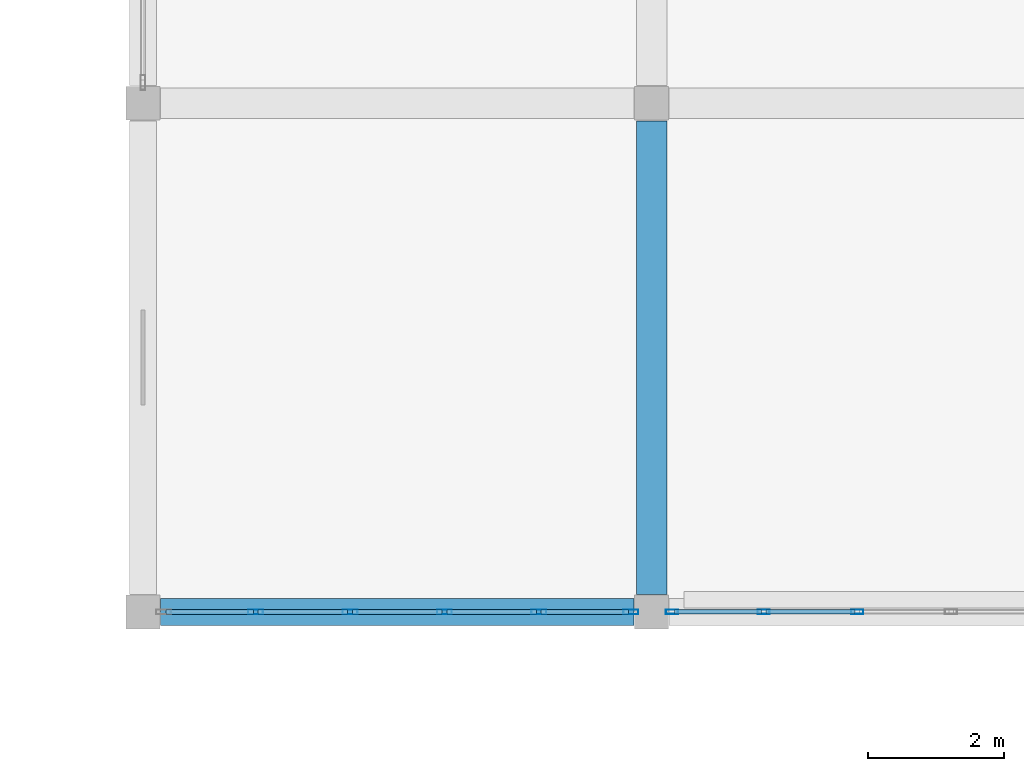
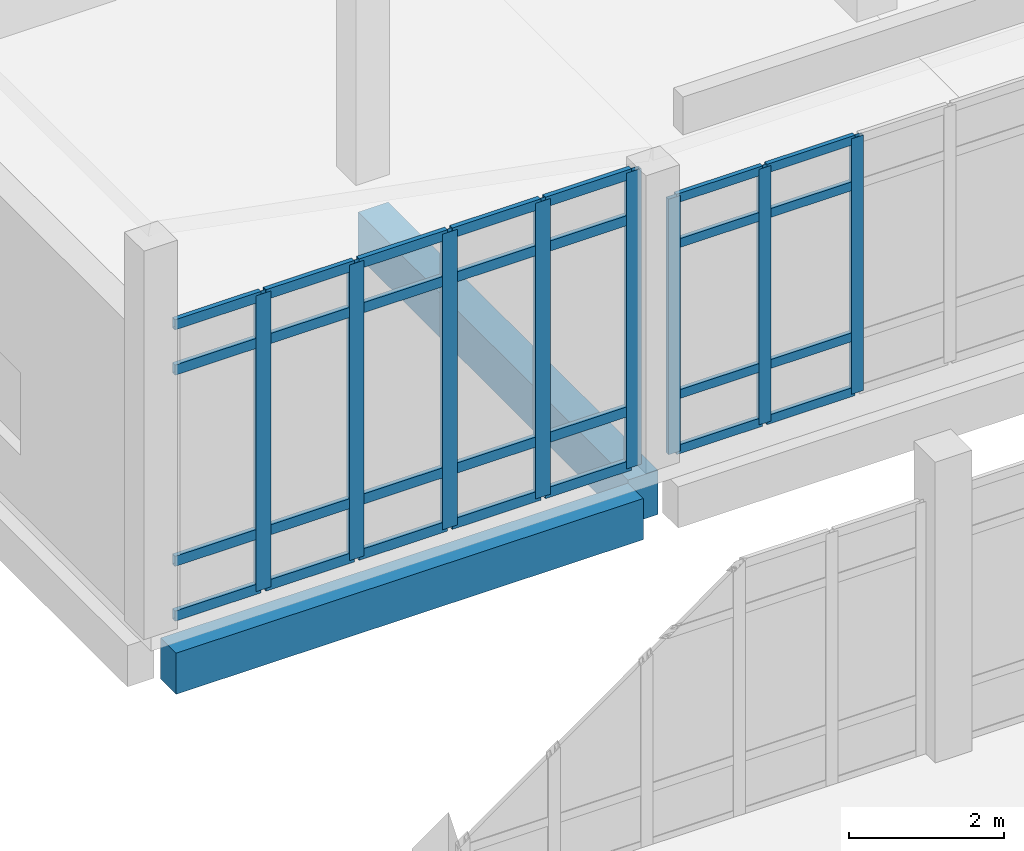
# One storey, part 67 of 173: 36 members, 2 beams, 2 elements without a shape of their own.
"""IFC4 building model written with IfcOpenShell, lengths in metres."""

from ifc_helpers import new_model, si_unit, direction, frame, origin, origin_2d, place, context, subcontext, project, spatial, rectangle, hollow_rectangle, extrude, material, layer, layer_set, material_profile, profile_set, type_object, element, aggregate, save


model = new_model("IFC4")

# Units and contexts
model_context = context("Model", 3, precision=1e-05, world=origin(), true_north=direction((0.0, 1.0)))
body_context = subcontext(model_context, "Body", "Model", "MODEL_VIEW")
ifc_project = project(units=[si_unit("LENGTHUNIT", "METRE"), si_unit("AREAUNIT", "SQUARE_METRE"), si_unit("VOLUMEUNIT", "CUBIC_METRE"), si_unit("PLANEANGLEUNIT", "RADIAN"), si_unit("MASSUNIT", "GRAM", prefix="KILO")], contexts=[model_context])

# Site, building, storey
site_placement = place(None, origin())
site = spatial("IfcSite", under=ifc_project, at=site_placement, CompositionType="ELEMENT")
building_placement = place(site_placement, origin())
building = spatial("IfcBuilding", under=site, at=building_placement, Name="Mawjan Specialist Oncology Clinic", CompositionType="ELEMENT")
storey_placement = place(building_placement, origin())
storey = spatial("IfcBuildingStorey", under=building, at=storey_placement, Name="L00", CompositionType="ELEMENT", Elevation=0.0)

# Beam
ifc_material_1 = material(Name="Concrete C40/50", Category="concrete")
ifc_material_profile_1 = material_profile(ifc_material_1, rectangle(XDim=0.449951171875, YDim=0.699951171875, at=origin_2d()), Name="RC BM 450x700", Category="concrete")
ifc_profile_set_1 = profile_set([ifc_material_profile_1], Name="Concrete C40/50")
beam_type_1 = type_object("IfcBeamType", Name="BM-450x700", PredefinedType="BEAM", material=ifc_profile_set_1)
beam_1_placement = place(storey_placement, frame((37.5, 83.56005859375, -0.77001953125), z_axis=(0.0, 1.0, 0.0), x_axis=(-1.0, 0.0, 0.0)))
element("IfcBeam", 1, at=beam_1_placement, inside=storey, type_object=beam_type_1, Name="L00 Collector Beam BM-L00-0118", PredefinedType="BEAM", context=body_context, shape_type="SweptSolid", body=[
    extrude(rectangle(XDim=0.449951171875, YDim=0.699951171875, at=origin_2d()), origin(), (0.0, 0.0, 1.0), 6.97998046875),
])

# Curtain wall, members
ifc_material_2 = material(Name="Unitised spectrally selective aluminium curtain wall", Category="aluminium")
ifc_layer_1 = layer(ifc_material_2, 0.179931640625, Name="Unitised spectrally selective aluminium curtain wall", Category="aluminium")
ifc_layer_set_1 = layer_set([ifc_layer_1], Name="Unitised spectrally selective aluminium curtain wall")
curtain_wall_type_1 = type_object("IfcCurtainWallType", Name="CW-09", PredefinedType="NOTDEFINED", material=ifc_layer_set_1)
curtain_wall_1_placement = place(storey_placement, origin())
curtain_wall_1 = element("IfcCurtainWall", 2, at=curtain_wall_1_placement, inside=storey, type_object=curtain_wall_type_1, Name="L00 Unitised Curtain Wall CW-L00-016", PredefinedType="NOTDEFINED")
ifc_material_3 = material(Name="Thermally broken aluminium 6063-T6", Category="aluminium")
ifc_material_profile_2 = material_profile(ifc_material_3, hollow_rectangle(XDim=0.06494140625, YDim=0.179931640625, WallThickness=0.00390625, at=origin_2d()), Name="ALU MULLION 180x65x4", Category="aluminium")
ifc_profile_set_2 = profile_set([ifc_material_profile_2], Name="Thermally broken aluminium 6063-T6")
member_type_1 = type_object("IfcMemberType", Name="CW-M180", PredefinedType="MULLION", material=ifc_profile_set_2)
member_1_placement = place(storey_placement, frame((40.533935546875, 83.300048828125, 0.0), z_axis=(0.0, 0.0, 1.0), x_axis=(0.0, -1.0, 0.0)))
member_1 = element("IfcMember", 3, at=member_1_placement, type_object=member_type_1, Name="CW-09 mullion 4", PredefinedType="MULLION", context=body_context, shape_type="SweptSolid", body=[
    extrude(hollow_rectangle(XDim=0.06494140625, YDim=0.179931640625, WallThickness=0.00390625, at=origin_2d()), origin(), (0.0, 0.0, 1.0), 4.034912109375),
])
member_2_placement = place(storey_placement, frame((39.152099609375, 83.300048828125, 0.0), z_axis=(0.0, 0.0, 1.0), x_axis=(0.0, -1.0, 0.0)))
member_2 = element("IfcMember", 4, at=member_2_placement, type_object=member_type_1, Name="CW-09 mullion 5", PredefinedType="MULLION", context=body_context, shape_type="SweptSolid", body=[
    extrude(hollow_rectangle(XDim=0.06494140625, YDim=0.179931640625, WallThickness=0.00390625, at=origin_2d()), origin(), (0.0, 0.0, 1.0), 4.034912109375),
])
member_3_placement = place(storey_placement, frame((37.802490234375, 83.300048828125, 0.0), z_axis=(0.0, 0.0, 1.0), x_axis=(0.0, -1.0, 0.0)))
member_3 = element("IfcMember", 5, at=member_3_placement, type_object=member_type_1, Name="CW-09 mullion 6", PredefinedType="MULLION", context=body_context, shape_type="SweptSolid", body=[
    extrude(hollow_rectangle(XDim=0.06494140625, YDim=0.179931640625, WallThickness=0.00390625, at=origin_2d()), origin(), (0.0, 0.0, 1.0), 4.034912109375),
])

ifc_material_4 = material(Name="Unitised spectrally selective aluminium curtain wall", Category="aluminium")
ifc_layer_2 = layer(ifc_material_4, 0.179931640625, Name="Unitised spectrally selective aluminium curtain wall", Category="aluminium")
ifc_layer_set_2 = layer_set([ifc_layer_2], Name="Unitised spectrally selective aluminium curtain wall")
curtain_wall_type_2 = type_object("IfcCurtainWallType", Name="CW-11", PredefinedType="NOTDEFINED", material=ifc_layer_set_2)
curtain_wall_2_placement = place(storey_placement, origin())
curtain_wall_2 = element("IfcCurtainWall", 6, at=curtain_wall_2_placement, inside=storey, type_object=curtain_wall_type_2, Name="L00 Unitised Curtain Wall CW-L00-017", PredefinedType="NOTDEFINED")
ifc_material_5 = material(Name="Thermally broken aluminium 6063-T6", Category="aluminium")
ifc_material_profile_3 = material_profile(ifc_material_5, hollow_rectangle(XDim=0.070068359375, YDim=0.219970703125, WallThickness=0.00390625, at=origin_2d()), Name="ALU MULLION 220x70x4", Category="aluminium")
ifc_profile_set_3 = profile_set([ifc_material_profile_3], Name="Thermally broken aluminium 6063-T6")
member_type_2 = type_object("IfcMemberType", Name="CW-M220", PredefinedType="MULLION", material=ifc_profile_set_3)
member_4_placement = place(storey_placement, frame((37.195068359375, 83.300048828125, 0.0), z_axis=(0.0, 0.0, 1.0), x_axis=(0.0, -1.0, 0.0)))
member_4 = element("IfcMember", 7, at=member_4_placement, type_object=member_type_2, Name="CW-11 mullion 1", PredefinedType="MULLION", context=body_context, shape_type="SweptSolid", body=[
    extrude(hollow_rectangle(XDim=0.070068359375, YDim=0.219970703125, WallThickness=0.00390625, at=origin_2d()), origin(), (0.0, 0.0, 1.0), 4.669921875),
])
member_5_placement = place(storey_placement, frame((35.837890625, 83.300048828125, 0.0), z_axis=(0.0, 0.0, 1.0), x_axis=(0.0, -1.0, 0.0)))
member_5 = element("IfcMember", 8, at=member_5_placement, type_object=member_type_2, Name="CW-11 mullion 2", PredefinedType="MULLION", context=body_context, shape_type="SweptSolid", body=[
    extrude(hollow_rectangle(XDim=0.070068359375, YDim=0.219970703125, WallThickness=0.00390625, at=origin_2d()), origin(), (0.0, 0.0, 1.0), 4.669921875),
])
member_6_placement = place(storey_placement, frame((34.446044921875, 83.300048828125, 0.0), z_axis=(0.0, 0.0, 1.0), x_axis=(0.0, -1.0, 0.0)))
member_6 = element("IfcMember", 9, at=member_6_placement, type_object=member_type_2, Name="CW-11 mullion 3", PredefinedType="MULLION", context=body_context, shape_type="SweptSolid", body=[
    extrude(hollow_rectangle(XDim=0.070068359375, YDim=0.219970703125, WallThickness=0.00390625, at=origin_2d()), origin(), (0.0, 0.0, 1.0), 4.669921875),
])
member_7_placement = place(storey_placement, frame((33.053955078125, 83.300048828125, 0.0), z_axis=(0.0, 0.0, 1.0), x_axis=(0.0, -1.0, 0.0)))
member_7 = element("IfcMember", 10, at=member_7_placement, type_object=member_type_2, Name="CW-11 mullion 4", PredefinedType="MULLION", context=body_context, shape_type="SweptSolid", body=[
    extrude(hollow_rectangle(XDim=0.070068359375, YDim=0.219970703125, WallThickness=0.00390625, at=origin_2d()), origin(), (0.0, 0.0, 1.0), 4.669921875),
])
member_8_placement = place(storey_placement, frame((31.662109375, 83.300048828125, 0.0), z_axis=(0.0, 0.0, 1.0), x_axis=(0.0, -1.0, 0.0)))
member_8 = element("IfcMember", 11, at=member_8_placement, type_object=member_type_2, Name="CW-11 mullion 5", PredefinedType="MULLION", context=body_context, shape_type="SweptSolid", body=[
    extrude(hollow_rectangle(XDim=0.070068359375, YDim=0.219970703125, WallThickness=0.00390625, at=origin_2d()), origin(), (0.0, 0.0, 1.0), 4.669921875),
])

# Member
ifc_material_6 = material(Name="Thermally broken aluminium 6063-T6", Category="aluminium")
ifc_material_profile_4 = material_profile(ifc_material_6, hollow_rectangle(XDim=0.06494140625, YDim=0.139892578125, WallThickness=0.00390625, at=origin_2d()), Name="ALU TRANSOM 140x65x4", Category="aluminium")
ifc_profile_set_4 = profile_set([ifc_material_profile_4], Name="Thermally broken aluminium 6063-T6")
member_type_3 = type_object("IfcMemberType", Name="CW-T140", PredefinedType="USERDEFINED", material=ifc_profile_set_4)
member_9_placement = place(storey_placement, frame((40.50146484375, 83.300048828125, 0.032470703125), z_axis=(-1.0, 0.0, 0.0), x_axis=(0.0, -1.0, 0.0)))
member_9 = element("IfcMember", 12, at=member_9_placement, type_object=member_type_3, Name="CW-09 transom 4.1", ObjectType="TRANSOM", PredefinedType="USERDEFINED", context=body_context, shape_type="SweptSolid", body=[
    extrude(hollow_rectangle(XDim=0.06494140625, YDim=0.139892578125, WallThickness=0.00390625, at=origin_2d()), origin(), (0.0, 0.0, 1.0), 1.31689453125),
])

member_10_placement = place(storey_placement, frame((40.50146484375, 83.300048828125, 0.89990234375), z_axis=(-1.0, 0.0, 0.0), x_axis=(0.0, -1.0, 0.0)))
member_10 = element("IfcMember", 13, at=member_10_placement, type_object=member_type_3, Name="CW-09 transom 4.2", ObjectType="TRANSOM", PredefinedType="USERDEFINED", context=body_context, shape_type="SweptSolid", body=[
    extrude(hollow_rectangle(XDim=0.06494140625, YDim=0.139892578125, WallThickness=0.00390625, at=origin_2d()), origin(), (0.0, 0.0, 1.0), 1.31689453125),
])

member_11_placement = place(storey_placement, frame((40.50146484375, 83.300048828125, 3.284912109375), z_axis=(-1.0, 0.0, 0.0), x_axis=(0.0, -1.0, 0.0)))
member_11 = element("IfcMember", 14, at=member_11_placement, type_object=member_type_3, Name="CW-09 transom 4.3", ObjectType="TRANSOM", PredefinedType="USERDEFINED", context=body_context, shape_type="SweptSolid", body=[
    extrude(hollow_rectangle(XDim=0.06494140625, YDim=0.139892578125, WallThickness=0.00390625, at=origin_2d()), origin(), (0.0, 0.0, 1.0), 1.31689453125),
])

member_12_placement = place(storey_placement, frame((40.50146484375, 83.300048828125, 4.00244140625), z_axis=(-1.0, 0.0, 0.0), x_axis=(0.0, -1.0, 0.0)))
member_12 = element("IfcMember", 15, at=member_12_placement, type_object=member_type_3, Name="CW-09 transom 4.4", ObjectType="TRANSOM", PredefinedType="USERDEFINED", context=body_context, shape_type="SweptSolid", body=[
    extrude(hollow_rectangle(XDim=0.06494140625, YDim=0.139892578125, WallThickness=0.00390625, at=origin_2d()), origin(), (0.0, 0.0, 1.0), 1.31689453125),
])

member_13_placement = place(storey_placement, frame((39.119384765625, 83.300048828125, 0.032470703125), z_axis=(-1.0, 0.0, 0.0), x_axis=(0.0, -1.0, 0.0)))
member_13 = element("IfcMember", 16, at=member_13_placement, type_object=member_type_3, Name="CW-09 transom 5.1", ObjectType="TRANSOM", PredefinedType="USERDEFINED", context=body_context, shape_type="SweptSolid", body=[
    extrude(hollow_rectangle(XDim=0.06494140625, YDim=0.139892578125, WallThickness=0.00390625, at=origin_2d()), origin(), (0.0, 0.0, 1.0), 1.284423828125),
])

member_14_placement = place(storey_placement, frame((39.119384765625, 83.300048828125, 0.89990234375), z_axis=(-1.0, 0.0, 0.0), x_axis=(0.0, -1.0, 0.0)))
member_14 = element("IfcMember", 17, at=member_14_placement, type_object=member_type_3, Name="CW-09 transom 5.2", ObjectType="TRANSOM", PredefinedType="USERDEFINED", context=body_context, shape_type="SweptSolid", body=[
    extrude(hollow_rectangle(XDim=0.06494140625, YDim=0.139892578125, WallThickness=0.00390625, at=origin_2d()), origin(), (0.0, 0.0, 1.0), 1.284423828125),
])

member_15_placement = place(storey_placement, frame((39.119384765625, 83.300048828125, 3.284912109375), z_axis=(-1.0, 0.0, 0.0), x_axis=(0.0, -1.0, 0.0)))
member_15 = element("IfcMember", 18, at=member_15_placement, type_object=member_type_3, Name="CW-09 transom 5.3", ObjectType="TRANSOM", PredefinedType="USERDEFINED", context=body_context, shape_type="SweptSolid", body=[
    extrude(hollow_rectangle(XDim=0.06494140625, YDim=0.139892578125, WallThickness=0.00390625, at=origin_2d()), origin(), (0.0, 0.0, 1.0), 1.284423828125),
])

member_16_placement = place(storey_placement, frame((39.119384765625, 83.300048828125, 4.00244140625), z_axis=(-1.0, 0.0, 0.0), x_axis=(0.0, -1.0, 0.0)))
member_16 = element("IfcMember", 19, at=member_16_placement, type_object=member_type_3, Name="CW-09 transom 5.4", ObjectType="TRANSOM", PredefinedType="USERDEFINED", context=body_context, shape_type="SweptSolid", body=[
    extrude(hollow_rectangle(XDim=0.06494140625, YDim=0.139892578125, WallThickness=0.00390625, at=origin_2d()), origin(), (0.0, 0.0, 1.0), 1.284423828125),
])

aggregate(curtain_wall_1, [member_1, member_2, member_3, member_9, member_10, member_11, member_12, member_13, member_14, member_15, member_16])

ifc_material_7 = material(Name="Thermally broken aluminium 6063-T6", Category="aluminium")
ifc_material_profile_5 = material_profile(ifc_material_7, hollow_rectangle(XDim=0.070068359375, YDim=0.159912109375, WallThickness=0.00390625, at=origin_2d()), Name="ALU TRANSOM 160x70x4", Category="aluminium")
ifc_profile_set_5 = profile_set([ifc_material_profile_5], Name="Thermally broken aluminium 6063-T6")
member_type_4 = type_object("IfcMemberType", Name="CW-T160", PredefinedType="USERDEFINED", material=ifc_profile_set_5)
member_17_placement = place(storey_placement, frame((37.159912109375, 83.300048828125, 0.034912109375), z_axis=(-1.0, 0.0, 0.0), x_axis=(0.0, -1.0, 0.0)))
member_17 = element("IfcMember", 20, at=member_17_placement, type_object=member_type_4, Name="CW-11 transom 1.1", ObjectType="TRANSOM", PredefinedType="USERDEFINED", context=body_context, shape_type="SweptSolid", body=[
    extrude(hollow_rectangle(XDim=0.070068359375, YDim=0.159912109375, WallThickness=0.00390625, at=origin_2d()), origin(), (0.0, 0.0, 1.0), 1.286865234375),
])

member_18_placement = place(storey_placement, frame((37.159912109375, 83.300048828125, 0.89990234375), z_axis=(-1.0, 0.0, 0.0), x_axis=(0.0, -1.0, 0.0)))
member_18 = element("IfcMember", 21, at=member_18_placement, type_object=member_type_4, Name="CW-11 transom 1.2", ObjectType="TRANSOM", PredefinedType="USERDEFINED", context=body_context, shape_type="SweptSolid", body=[
    extrude(hollow_rectangle(XDim=0.070068359375, YDim=0.159912109375, WallThickness=0.00390625, at=origin_2d()), origin(), (0.0, 0.0, 1.0), 1.286865234375),
])

member_19_placement = place(storey_placement, frame((37.159912109375, 83.300048828125, 3.919921875), z_axis=(-1.0, 0.0, 0.0), x_axis=(0.0, -1.0, 0.0)))
member_19 = element("IfcMember", 22, at=member_19_placement, type_object=member_type_4, Name="CW-11 transom 1.3", ObjectType="TRANSOM", PredefinedType="USERDEFINED", context=body_context, shape_type="SweptSolid", body=[
    extrude(hollow_rectangle(XDim=0.070068359375, YDim=0.159912109375, WallThickness=0.00390625, at=origin_2d()), origin(), (0.0, 0.0, 1.0), 1.286865234375),
])

member_20_placement = place(storey_placement, frame((37.159912109375, 83.300048828125, 4.635009765625), z_axis=(-1.0, 0.0, 0.0), x_axis=(0.0, -1.0, 0.0)))
member_20 = element("IfcMember", 23, at=member_20_placement, type_object=member_type_4, Name="CW-11 transom 1.4", ObjectType="TRANSOM", PredefinedType="USERDEFINED", context=body_context, shape_type="SweptSolid", body=[
    extrude(hollow_rectangle(XDim=0.070068359375, YDim=0.159912109375, WallThickness=0.00390625, at=origin_2d()), origin(), (0.0, 0.0, 1.0), 1.286865234375),
])

member_21_placement = place(storey_placement, frame((35.802978515625, 83.300048828125, 0.034912109375), z_axis=(-1.0, 0.0, 0.0), x_axis=(0.0, -1.0, 0.0)))
member_21 = element("IfcMember", 24, at=member_21_placement, type_object=member_type_4, Name="CW-11 transom 2.1", ObjectType="TRANSOM", PredefinedType="USERDEFINED", context=body_context, shape_type="SweptSolid", body=[
    extrude(hollow_rectangle(XDim=0.070068359375, YDim=0.159912109375, WallThickness=0.00390625, at=origin_2d()), origin(), (0.0, 0.0, 1.0), 1.322021484375),
])

member_22_placement = place(storey_placement, frame((35.802978515625, 83.300048828125, 0.89990234375), z_axis=(-1.0, 0.0, 0.0), x_axis=(0.0, -1.0, 0.0)))
member_22 = element("IfcMember", 25, at=member_22_placement, type_object=member_type_4, Name="CW-11 transom 2.2", ObjectType="TRANSOM", PredefinedType="USERDEFINED", context=body_context, shape_type="SweptSolid", body=[
    extrude(hollow_rectangle(XDim=0.070068359375, YDim=0.159912109375, WallThickness=0.00390625, at=origin_2d()), origin(), (0.0, 0.0, 1.0), 1.322021484375),
])

member_23_placement = place(storey_placement, frame((35.802978515625, 83.300048828125, 3.919921875), z_axis=(-1.0, 0.0, 0.0), x_axis=(0.0, -1.0, 0.0)))
member_23 = element("IfcMember", 26, at=member_23_placement, type_object=member_type_4, Name="CW-11 transom 2.3", ObjectType="TRANSOM", PredefinedType="USERDEFINED", context=body_context, shape_type="SweptSolid", body=[
    extrude(hollow_rectangle(XDim=0.070068359375, YDim=0.159912109375, WallThickness=0.00390625, at=origin_2d()), origin(), (0.0, 0.0, 1.0), 1.322021484375),
])

member_24_placement = place(storey_placement, frame((35.802978515625, 83.300048828125, 4.635009765625), z_axis=(-1.0, 0.0, 0.0), x_axis=(0.0, -1.0, 0.0)))
member_24 = element("IfcMember", 27, at=member_24_placement, type_object=member_type_4, Name="CW-11 transom 2.4", ObjectType="TRANSOM", PredefinedType="USERDEFINED", context=body_context, shape_type="SweptSolid", body=[
    extrude(hollow_rectangle(XDim=0.070068359375, YDim=0.159912109375, WallThickness=0.00390625, at=origin_2d()), origin(), (0.0, 0.0, 1.0), 1.322021484375),
])

member_25_placement = place(storey_placement, frame((34.410888671875, 83.300048828125, 0.034912109375), z_axis=(-1.0, 0.0, 0.0), x_axis=(0.0, -1.0, 0.0)))
member_25 = element("IfcMember", 28, at=member_25_placement, type_object=member_type_4, Name="CW-11 transom 3.1", ObjectType="TRANSOM", PredefinedType="USERDEFINED", context=body_context, shape_type="SweptSolid", body=[
    extrude(hollow_rectangle(XDim=0.070068359375, YDim=0.159912109375, WallThickness=0.00390625, at=origin_2d()), origin(), (0.0, 0.0, 1.0), 1.32177734375),
])

member_26_placement = place(storey_placement, frame((34.410888671875, 83.300048828125, 0.89990234375), z_axis=(-1.0, 0.0, 0.0), x_axis=(0.0, -1.0, 0.0)))
member_26 = element("IfcMember", 29, at=member_26_placement, type_object=member_type_4, Name="CW-11 transom 3.2", ObjectType="TRANSOM", PredefinedType="USERDEFINED", context=body_context, shape_type="SweptSolid", body=[
    extrude(hollow_rectangle(XDim=0.070068359375, YDim=0.159912109375, WallThickness=0.00390625, at=origin_2d()), origin(), (0.0, 0.0, 1.0), 1.32177734375),
])

member_27_placement = place(storey_placement, frame((34.410888671875, 83.300048828125, 3.919921875), z_axis=(-1.0, 0.0, 0.0), x_axis=(0.0, -1.0, 0.0)))
member_27 = element("IfcMember", 30, at=member_27_placement, type_object=member_type_4, Name="CW-11 transom 3.3", ObjectType="TRANSOM", PredefinedType="USERDEFINED", context=body_context, shape_type="SweptSolid", body=[
    extrude(hollow_rectangle(XDim=0.070068359375, YDim=0.159912109375, WallThickness=0.00390625, at=origin_2d()), origin(), (0.0, 0.0, 1.0), 1.32177734375),
])

member_28_placement = place(storey_placement, frame((34.410888671875, 83.300048828125, 4.635009765625), z_axis=(-1.0, 0.0, 0.0), x_axis=(0.0, -1.0, 0.0)))
member_28 = element("IfcMember", 31, at=member_28_placement, type_object=member_type_4, Name="CW-11 transom 3.4", ObjectType="TRANSOM", PredefinedType="USERDEFINED", context=body_context, shape_type="SweptSolid", body=[
    extrude(hollow_rectangle(XDim=0.070068359375, YDim=0.159912109375, WallThickness=0.00390625, at=origin_2d()), origin(), (0.0, 0.0, 1.0), 1.32177734375),
])

member_29_placement = place(storey_placement, frame((33.01904296875, 83.300048828125, 0.034912109375), z_axis=(-1.0, 0.0, 0.0), x_axis=(0.0, -1.0, 0.0)))
member_29 = element("IfcMember", 32, at=member_29_placement, type_object=member_type_4, Name="CW-11 transom 4.1", ObjectType="TRANSOM", PredefinedType="USERDEFINED", context=body_context, shape_type="SweptSolid", body=[
    extrude(hollow_rectangle(XDim=0.070068359375, YDim=0.159912109375, WallThickness=0.00390625, at=origin_2d()), origin(), (0.0, 0.0, 1.0), 1.322021484375),
])

member_30_placement = place(storey_placement, frame((33.01904296875, 83.300048828125, 0.89990234375), z_axis=(-1.0, 0.0, 0.0), x_axis=(0.0, -1.0, 0.0)))
member_30 = element("IfcMember", 33, at=member_30_placement, type_object=member_type_4, Name="CW-11 transom 4.2", ObjectType="TRANSOM", PredefinedType="USERDEFINED", context=body_context, shape_type="SweptSolid", body=[
    extrude(hollow_rectangle(XDim=0.070068359375, YDim=0.159912109375, WallThickness=0.00390625, at=origin_2d()), origin(), (0.0, 0.0, 1.0), 1.322021484375),
])

member_31_placement = place(storey_placement, frame((33.01904296875, 83.300048828125, 3.919921875), z_axis=(-1.0, 0.0, 0.0), x_axis=(0.0, -1.0, 0.0)))
member_31 = element("IfcMember", 34, at=member_31_placement, type_object=member_type_4, Name="CW-11 transom 4.3", ObjectType="TRANSOM", PredefinedType="USERDEFINED", context=body_context, shape_type="SweptSolid", body=[
    extrude(hollow_rectangle(XDim=0.070068359375, YDim=0.159912109375, WallThickness=0.00390625, at=origin_2d()), origin(), (0.0, 0.0, 1.0), 1.322021484375),
])

member_32_placement = place(storey_placement, frame((33.01904296875, 83.300048828125, 4.635009765625), z_axis=(-1.0, 0.0, 0.0), x_axis=(0.0, -1.0, 0.0)))
member_32 = element("IfcMember", 35, at=member_32_placement, type_object=member_type_4, Name="CW-11 transom 4.4", ObjectType="TRANSOM", PredefinedType="USERDEFINED", context=body_context, shape_type="SweptSolid", body=[
    extrude(hollow_rectangle(XDim=0.070068359375, YDim=0.159912109375, WallThickness=0.00390625, at=origin_2d()), origin(), (0.0, 0.0, 1.0), 1.322021484375),
])

member_33_placement = place(storey_placement, frame((31.626953125, 83.300048828125, 0.034912109375), z_axis=(-1.0, 0.0, 0.0), x_axis=(0.0, -1.0, 0.0)))
member_33 = element("IfcMember", 36, at=member_33_placement, type_object=member_type_4, Name="CW-11 transom 5.1", ObjectType="TRANSOM", PredefinedType="USERDEFINED", context=body_context, shape_type="SweptSolid", body=[
    extrude(hollow_rectangle(XDim=0.070068359375, YDim=0.159912109375, WallThickness=0.00390625, at=origin_2d()), origin(), (0.0, 0.0, 1.0), 1.286865234375),
])

member_34_placement = place(storey_placement, frame((31.626953125, 83.300048828125, 0.89990234375), z_axis=(-1.0, 0.0, 0.0), x_axis=(0.0, -1.0, 0.0)))
member_34 = element("IfcMember", 37, at=member_34_placement, type_object=member_type_4, Name="CW-11 transom 5.2", ObjectType="TRANSOM", PredefinedType="USERDEFINED", context=body_context, shape_type="SweptSolid", body=[
    extrude(hollow_rectangle(XDim=0.070068359375, YDim=0.159912109375, WallThickness=0.00390625, at=origin_2d()), origin(), (0.0, 0.0, 1.0), 1.286865234375),
])

member_35_placement = place(storey_placement, frame((31.626953125, 83.300048828125, 3.919921875), z_axis=(-1.0, 0.0, 0.0), x_axis=(0.0, -1.0, 0.0)))
member_35 = element("IfcMember", 38, at=member_35_placement, type_object=member_type_4, Name="CW-11 transom 5.3", ObjectType="TRANSOM", PredefinedType="USERDEFINED", context=body_context, shape_type="SweptSolid", body=[
    extrude(hollow_rectangle(XDim=0.070068359375, YDim=0.159912109375, WallThickness=0.00390625, at=origin_2d()), origin(), (0.0, 0.0, 1.0), 1.286865234375),
])

member_36_placement = place(storey_placement, frame((31.626953125, 83.300048828125, 4.635009765625), z_axis=(-1.0, 0.0, 0.0), x_axis=(0.0, -1.0, 0.0)))
member_36 = element("IfcMember", 39, at=member_36_placement, type_object=member_type_4, Name="CW-11 transom 5.4", ObjectType="TRANSOM", PredefinedType="USERDEFINED", context=body_context, shape_type="SweptSolid", body=[
    extrude(hollow_rectangle(XDim=0.070068359375, YDim=0.159912109375, WallThickness=0.00390625, at=origin_2d()), origin(), (0.0, 0.0, 1.0), 1.286865234375),
])

aggregate(curtain_wall_2, [member_4, member_5, member_6, member_7, member_8, member_17, member_18, member_19, member_20, member_21, member_22, member_23, member_24, member_25, member_26, member_27, member_28, member_29, member_30, member_31, member_32, member_33, member_34, member_35, member_36])

# Beam
ifc_material_8 = material(Name="Concrete C45/55", Category="concrete")
ifc_material_profile_6 = material_profile(ifc_material_8, rectangle(XDim=0.39990234375, YDim=0.64990234375, at=origin_2d()), Name="RC BM 400x650", Category="concrete")
ifc_profile_set_6 = profile_set([ifc_material_profile_6], Name="Concrete C45/55")
beam_type_2 = type_object("IfcBeamType", Name="SP-400x650", PredefinedType="SPANDREL", material=ifc_profile_set_6)
beam_2_placement = place(storey_placement, frame((30.260009765625, 83.300048828125, -0.7451171875), z_axis=(1.0, 0.0, 0.0), x_axis=(0.0, 1.0, 0.0)))
element("IfcBeam", 40, at=beam_2_placement, inside=storey, type_object=beam_type_2, Name="L00 Spandrel Beam BM-L00-0024", PredefinedType="SPANDREL", context=body_context, shape_type="SweptSolid", body=[
    extrude(rectangle(XDim=0.39990234375, YDim=0.64990234375, at=origin_2d()), origin(), (0.0, 0.0, 1.0), 6.97998046875),
])

save(model, "model.ifc")
